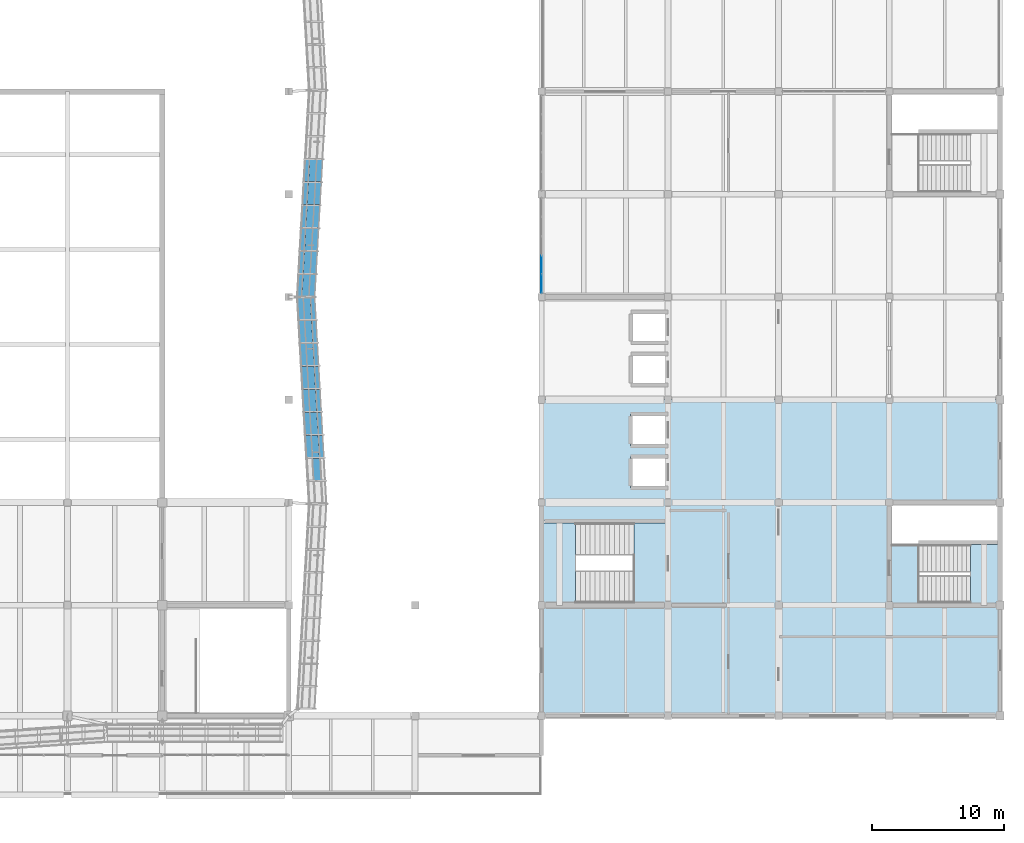
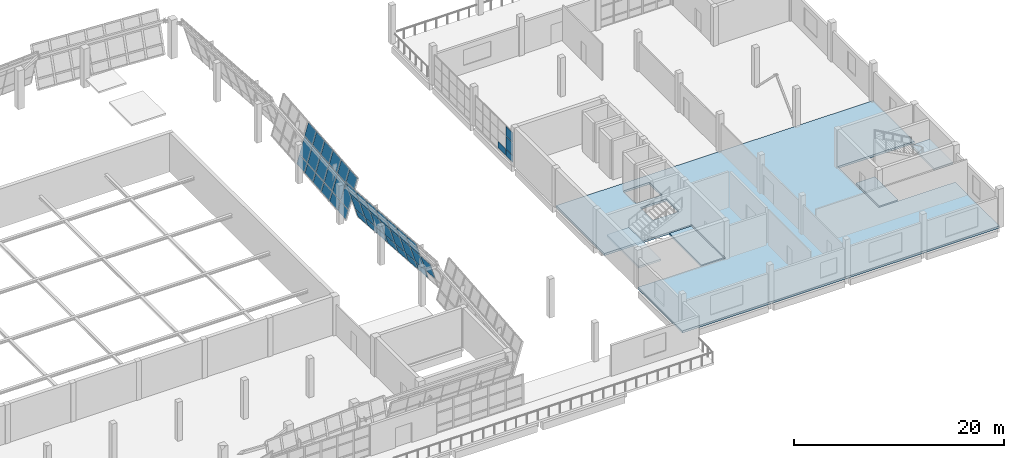
# One storey, part 40 of 67: 44 plates, 5 slabs, 5 elements without a shape of their own.
"""IFC4 building model written with IfcOpenShell, lengths in metres."""

from ifc_helpers import new_model, si_unit, direction, frame, origin, place, context, subcontext, project, spatial, polyline, outline, extrude, material, layer, layer_set, type_object, element, aggregate, save


model = new_model("IFC4")

# Units and contexts
model_context = context("Model", 3, precision=1e-05, world=origin(), true_north=direction((0.0, 1.0)))
body_context = subcontext(model_context, "Body", "Model", "MODEL_VIEW")
ifc_project = project(units=[si_unit("LENGTHUNIT", "METRE"), si_unit("AREAUNIT", "SQUARE_METRE"), si_unit("VOLUMEUNIT", "CUBIC_METRE"), si_unit("PLANEANGLEUNIT", "RADIAN"), si_unit("MASSUNIT", "GRAM", prefix="KILO")], contexts=[model_context])

# Site, building, storey
site_placement = place(None, origin())
site = spatial("IfcSite", under=ifc_project, at=site_placement, CompositionType="ELEMENT")
building_placement = place(site_placement, origin())
building = spatial("IfcBuilding", under=site, at=building_placement, Name="Pellamere Symphony Hall", CompositionType="ELEMENT")
storey_placement = place(building_placement, frame((0.0, 0.0, 19.5)))
storey = spatial("IfcBuildingStorey", under=building, at=storey_placement, Name="L04", CompositionType="ELEMENT", Elevation=19.5)

# Curtain wall, plates
ifc_material_1 = material(Name="Thermally Broken Anodised Aluminium 6063-T6 Curtain Wall", Category="aluminium")
curtain_wall_type_1 = type_object("IfcCurtainWallType", Name="Curtain Wall CW-05 (Artists Wing North Studio Ribbon Curtain Wall)", PredefinedType="NOTDEFINED", material=ifc_material_1)
curtain_wall_1_placement = place(storey_placement, origin())
curtain_wall_1 = element("IfcCurtainWall", 1, at=curtain_wall_1_placement, inside=storey, type_object=curtain_wall_type_1, Name="Sculpture Court East Wing Curtain Wall (L04 Bay 1)", PredefinedType="NOTDEFINED")
ifc_material_2 = material(Name="Triple Low-E Argon Acoustic Glazing 36mm", Category="glass")
ifc_layer_1 = layer(ifc_material_2, 0.035888671875, Name="Triple Low-E Argon Acoustic Glazing 36mm")
ifc_layer_set_1 = layer_set([ifc_layer_1], Name="Triple Low-E Argon Acoustic Glazing 36mm")
plate_type_1 = type_object("IfcPlateType", Name="Facade Panel GL-01 36mm", PredefinedType="CURTAIN_PANEL", material=ifc_layer_set_1)
plate_1_placement = place(storey_placement, frame((138.0, 62.135009765625, 0.06005859375), z_axis=(1.0, 0.0, 0.0), x_axis=(0.0, 1.0, 0.0)))
plate_1 = element("IfcPlate", 2, at=plate_1_placement, type_object=plate_type_1, Name="CW5-146 crystal glass panel 1.1", PredefinedType="CURTAIN_PANEL", context=body_context, shape_type="SweptSolid", body=[
    extrude(outline(polyline([(0.0, 0.0), (1.360107421875, 0.0), (1.360107421875, 0.754638671875), (0.0, 0.754638671875), (0.0, 0.0)])), origin(), (0.0, 0.0, -1.0), 0.035888671875),
])
plate_2_placement = place(storey_placement, frame((138.0, 62.135009765625, 0.874755859375), z_axis=(1.0, 0.0, 0.0), x_axis=(0.0, 1.0, 0.0)))
plate_2 = element("IfcPlate", 3, at=plate_2_placement, type_object=plate_type_1, Name="CW5-146 crystal glass panel 1.2", PredefinedType="CURTAIN_PANEL", context=body_context, shape_type="SweptSolid", body=[
    extrude(outline(polyline([(0.0, 0.0), (1.360107421875, 0.0), (1.360107421875, 1.41845703125), (0.0, 1.41845703125), (0.0, 0.0)])), origin(), (0.0, 0.0, -1.0), 0.035888671875),
])
plate_3_placement = place(storey_placement, frame((138.0, 62.135009765625, 2.353271484375), z_axis=(1.0, 0.0, 0.0), x_axis=(0.0, 1.0, 0.0)))
plate_3 = element("IfcPlate", 4, at=plate_3_placement, type_object=plate_type_1, Name="CW5-146 crystal glass panel 1.3", PredefinedType="CURTAIN_PANEL", context=body_context, shape_type="SweptSolid", body=[
    extrude(outline(polyline([(0.0, 0.0), (1.360107421875, 0.0), (1.360107421875, 1.106689453125), (0.0, 1.106689453125), (0.0, 0.0)])), origin(), (0.0, 0.0, -1.0), 0.035888671875),
])
plate_4_placement = place(storey_placement, frame((138.0, 63.554931640625, 0.06005859375), z_axis=(1.0, 0.0, 0.0), x_axis=(0.0, 1.0, 0.0)))
plate_4 = element("IfcPlate", 5, at=plate_4_placement, type_object=plate_type_1, Name="CW5-146 crystal glass panel 2.1", PredefinedType="CURTAIN_PANEL", context=body_context, shape_type="SweptSolid", body=[
    extrude(outline(polyline([(0.0, 0.0), (1.39013671875, 0.0), (1.39013671875, 0.754638671875), (0.0, 0.754638671875), (0.0, 0.0)])), origin(), (0.0, 0.0, -1.0), 0.035888671875),
])
aggregate(curtain_wall_1, [plate_1, plate_2, plate_3, plate_4])

curtain_wall_type_2 = type_object("IfcCurtainWallType", Name="Curtain Wall CW-01 (Tilted Faceted Crystal Low-Iron Curtain Wall)", PredefinedType="NOTDEFINED", material=ifc_material_1)
curtain_wall_2_placement = place(storey_placement, origin())
curtain_wall_2 = element("IfcCurtainWall", 6, at=curtain_wall_2_placement, inside=storey, type_object=curtain_wall_type_2, Name="Crystal Faceted Curtain Wall CW-CR07 (L04)", PredefinedType="NOTDEFINED")
ifc_material_3 = material(Name="Triple Laminated Acoustic Crystal Glazing 42mm", Category="glass")
ifc_layer_2 = layer(ifc_material_3, 0.0419921875, Name="Triple Laminated Acoustic Crystal Glazing 42mm")
ifc_layer_set_2 = layer_set([ifc_layer_2], Name="Triple Laminated Acoustic Crystal Glazing 42mm")
plate_type_2 = type_object("IfcPlateType", Name="Facade Panel GL-02 42mm", PredefinedType="CURTAIN_PANEL", material=ifc_layer_set_2)
plate_5_placement = place(storey_placement, frame((121.250244140625, 47.8818359375, 1.115966796875), z_axis=(0.957371585014, 0.054874932201, 0.283598995104), x_axis=(-0.057224396245, 0.998361341637, 0.0)))
plate_5 = element("IfcPlate", 7, at=plate_5_placement, type_object=plate_type_2, Name="CW1-011 crystal glass panel 2.2", PredefinedType="CURTAIN_PANEL", context=body_context, shape_type="SweptSolid", body=[
    extrude(outline(polyline([(0.0, 0.0), (1.6724182565382377, 3.469446951953614e-18), (1.703237841039485, 1.895957633434831), (0.030819584501247117, 1.895957633434831), (0.0, 0.0)])), origin(), (0.0, 0.0, -1.0), 0.0419921875),
])
plate_6_placement = place(storey_placement, frame((121.45947265625, 49.626220703125, 0.072021484375), z_axis=(0.957389759102, 0.05487597391, 0.283537434308), x_axis=(-0.057224396245, 0.998361341637, 0.0)))
plate_6 = element("IfcPlate", 8, at=plate_6_placement, type_object=plate_type_2, Name="CW1-011 crystal glass panel 3.1", PredefinedType="CURTAIN_PANEL", context=body_context, shape_type="SweptSolid", body=[
    extrude(outline(polyline([(0.0, 0.0), (1.6724182565382377, 0.0), (1.6888898295785688, 1.0135173974762153), (0.016471573040331075, 1.0135173974762153), (0.0, 0.0)])), origin(), (0.0, 0.0, -1.0), 0.0419921875),
])
plate_7_placement = place(storey_placement, frame((121.150390625, 49.626220703125, 1.115966796875), z_axis=(0.957371585014, 0.054874932201, 0.283598995104), x_axis=(-0.057224396245, 0.998361341637, 0.0)))
plate_7 = element("IfcPlate", 9, at=plate_7_placement, type_object=plate_type_2, Name="CW1-011 crystal glass panel 3.2", PredefinedType="CURTAIN_PANEL", context=body_context, shape_type="SweptSolid", body=[
    extrude(outline(polyline([(0.0, 0.0), (1.6724182565382377, 3.469446951953614e-18), (1.703237841039485, 1.895957633434831), (0.030819584501247117, 1.895957633434831), (0.0, 0.0)])), origin(), (0.0, 0.0, -1.0), 0.0419921875),
])
plate_8_placement = place(storey_placement, frame((120.59033203125, 49.626220703125, 3.005859375), z_axis=(0.957394802248, 0.054876262974, 0.283520349164), x_axis=(-0.057224396245, 0.998361341637, 0.0)))
plate_8 = element("IfcPlate", 10, at=plate_8_placement, type_object=plate_type_2, Name="CW1-011 crystal glass panel 3.3", PredefinedType="CURTAIN_PANEL", context=body_context, shape_type="SweptSolid", body=[
    extrude(outline(polyline([(0.0, 0.0), (1.6724182565382377, -3.469446951953614e-18), (1.6965178863046255, 1.482971047959765), (0.024099629766387704, 1.482971047959765), (0.0, 0.0)])), origin(), (0.0, 0.0, -1.0), 0.0419921875),
])
plate_9_placement = place(storey_placement, frame((121.359619140625, 51.370849609375, 0.072021484375), z_axis=(0.957324034181, 0.054880231266, 0.283758442686), x_axis=(-0.057232737422, 0.998360863499, 0.0)))
plate_9 = element("IfcPlate", 11, at=plate_9_placement, type_object=plate_type_2, Name="CW1-011 crystal glass panel 4.1", PredefinedType="CURTAIN_PANEL", context=body_context, shape_type="SweptSolid", body=[
    extrude(outline(polyline([(0.0, 0.0), (1.6721745160346768, -6.938893903907228e-18), (1.6886624628505897, 1.013586494914077), (0.01648794681591293, 1.013586494914077), (0.0, 0.0)])), origin(), (0.0, 0.0, -1.0), 0.0419921875),
])
plate_10_placement = place(storey_placement, frame((121.05029296875, 51.370849609375, 1.115966796875), z_axis=(0.957371163384, 0.054882933028, 0.283598870206), x_axis=(-0.057232737422, 0.998360863499, 0.0)))
plate_10 = element("IfcPlate", 12, at=plate_10_placement, type_object=plate_type_2, Name="CW1-011 crystal glass panel 4.2", PredefinedType="CURTAIN_PANEL", context=body_context, shape_type="SweptSolid", body=[
    extrude(outline(polyline([(0.0, 0.0), (1.6721745160346768, 3.469446951953614e-18), (1.7029985928786633, 1.8959575604045968), (0.030824076843986373, 1.895957560404597), (0.0, 0.0)])), origin(), (0.0, 0.0, -1.0), 0.0419921875),
])
plate_11_placement = place(storey_placement, frame((120.490478515625, 51.370849609375, 3.005859375), z_axis=(0.95734975691, 0.054881705866, 0.283671361447), x_axis=(-0.057232737422, 0.998360863499, 0.0)))
plate_11 = element("IfcPlate", 13, at=plate_11_placement, type_object=plate_type_2, Name="CW1-011 crystal glass panel 4.3", PredefinedType="CURTAIN_PANEL", context=body_context, shape_type="SweptSolid", body=[
    extrude(outline(polyline([(0.0, 0.0), (1.6721745160346768, -3.469446951953614e-18), (1.6962916314620207, 1.4830401146342416), (0.024117115427343825, 1.4830401146342416), (0.0, 0.0)])), origin(), (0.0, 0.0, -1.0), 0.0419921875),
])
plate_12_placement = place(storey_placement, frame((121.259521484375, 53.115234375, 0.072021484375), z_axis=(0.957389337449, 0.054883974887, 0.283537309433), x_axis=(-0.057232737422, 0.998360863499, 0.0)))
plate_12 = element("IfcPlate", 14, at=plate_12_placement, type_object=plate_type_2, Name="CW1-011 crystal glass panel 5.1", PredefinedType="CURTAIN_PANEL", context=body_context, shape_type="SweptSolid", body=[
    extrude(outline(polyline([(0.0, 0.0), (1.6721745160346768, 3.469446951953614e-18), (1.688648490014305, 1.01351735845357), (0.016473973979628256, 1.01351735845357), (0.0, 0.0)])), origin(), (0.0, 0.0, -1.0), 0.0419921875),
])
plate_13_placement = place(storey_placement, frame((120.9501953125, 53.115234375, 1.115966796875), z_axis=(0.957371163384, 0.054882933028, 0.283598870206), x_axis=(-0.057232737422, 0.998360863499, 0.0)))
plate_13 = element("IfcPlate", 15, at=plate_13_placement, type_object=plate_type_2, Name="CW1-011 crystal glass panel 5.2", PredefinedType="CURTAIN_PANEL", context=body_context, shape_type="SweptSolid", body=[
    extrude(outline(polyline([(0.0, 0.0), (1.6721745160346768, 3.469446951953614e-18), (1.7029985928786633, 1.8959575604045968), (0.030824076843986373, 1.895957560404597), (0.0, 0.0)])), origin(), (0.0, 0.0, -1.0), 0.0419921875),
])
plate_14_placement = place(storey_placement, frame((120.390380859375, 53.115234375, 3.005859375), z_axis=(0.957394380588, 0.054884263994, 0.283520224294), x_axis=(-0.057232737422, 0.998360863499, 0.0)))
plate_14 = element("IfcPlate", 16, at=plate_14_placement, type_object=plate_type_2, Name="CW1-011 crystal glass panel 5.3", PredefinedType="CURTAIN_PANEL", context=body_context, shape_type="SweptSolid", body=[
    extrude(outline(polyline([(0.0, 0.0), (1.6721745160346768, 3.469446951953614e-18), (1.696277658625736, 1.482970990869004), (0.02410314259105915, 1.482970990869004), (0.0, 0.0)])), origin(), (0.0, 0.0, -1.0), 0.0419921875),
])
plate_15_placement = place(storey_placement, frame((121.15966796875, 54.859619140625, 0.072021484375), z_axis=(0.957324455748, 0.054872230831, 0.283758567642), x_axis=(-0.057224396245, 0.998361341637, 0.0)))
plate_15 = element("IfcPlate", 17, at=plate_15_placement, type_object=plate_type_2, Name="CW1-011 crystal glass panel 6.1", PredefinedType="CURTAIN_PANEL", context=body_context, shape_type="SweptSolid", body=[
    extrude(outline(polyline([(0.0, 0.0), (1.6724182565382377, 0.0), (1.6889038003784336, 1.0135865340002803), (0.016485543840195648, 1.0135865340002805), (0.0, 0.0)])), origin(), (0.0, 0.0, -1.0), 0.0419921875),
])
plate_16_placement = place(storey_placement, frame((120.850341796875, 54.859619140625, 1.115966796875), z_axis=(0.957371585014, 0.054874932201, 0.283598995104), x_axis=(-0.057224396245, 0.998361341637, 0.0)))
plate_16 = element("IfcPlate", 18, at=plate_16_placement, type_object=plate_type_2, Name="CW1-011 crystal glass panel 6.2", PredefinedType="CURTAIN_PANEL", context=body_context, shape_type="SweptSolid", body=[
    extrude(outline(polyline([(0.0, 0.0), (1.6724182565382377, 3.469446951953614e-18), (1.703237841039485, 1.895957633434831), (0.030819584501247117, 1.895957633434831), (0.0, 0.0)])), origin(), (0.0, 0.0, -1.0), 0.0419921875),
])
plate_17_placement = place(storey_placement, frame((120.29052734375, 54.859619140625, 3.005859375), z_axis=(0.957350178511, 0.054873705217, 0.283671486371), x_axis=(-0.057224396245, 0.998361341637, 0.0)))
plate_17 = element("IfcPlate", 19, at=plate_17_placement, type_object=plate_type_2, Name="CW1-011 crystal glass panel 6.3", PredefinedType="CURTAIN_PANEL", context=body_context, shape_type="SweptSolid", body=[
    extrude(outline(polyline([(0.0, 0.0), (1.6724182565382377, 3.469446951953614e-18), (1.69653185710449, 1.48304017178855), (0.024113600566252277, 1.48304017178855), (0.0, 0.0)])), origin(), (0.0, 0.0, -1.0), 0.0419921875),
])
plate_18_placement = place(storey_placement, frame((121.0595703125, 56.60400390625, 0.072021484375), z_axis=(0.957324455748, 0.054872230831, 0.283758567642), x_axis=(-0.057224396245, 0.998361341637, 0.0)))
plate_18 = element("IfcPlate", 20, at=plate_18_placement, type_object=plate_type_2, Name="CW1-011 crystal glass panel 7.1", PredefinedType="CURTAIN_PANEL", context=body_context, shape_type="SweptSolid", body=[
    extrude(outline(polyline([(0.0, 0.0), (1.6724182565382377, 0.0), (1.6889038003784336, 1.0135865340002803), (0.016485543840195648, 1.0135865340002805), (0.0, 0.0)])), origin(), (0.0, 0.0, -1.0), 0.0419921875),
])
plate_19_placement = place(storey_placement, frame((120.750244140625, 56.60400390625, 1.115966796875), z_axis=(0.957371585014, 0.054874932201, 0.283598995104), x_axis=(-0.057224396245, 0.998361341637, 0.0)))
plate_19 = element("IfcPlate", 21, at=plate_19_placement, type_object=plate_type_2, Name="CW1-011 crystal glass panel 7.2", PredefinedType="CURTAIN_PANEL", context=body_context, shape_type="SweptSolid", body=[
    extrude(outline(polyline([(0.0, 0.0), (1.6724182565382377, 3.469446951953614e-18), (1.703237841039485, 1.895957633434831), (0.030819584501247117, 1.895957633434831), (0.0, 0.0)])), origin(), (0.0, 0.0, -1.0), 0.0419921875),
])
plate_20_placement = place(storey_placement, frame((120.1904296875, 56.60400390625, 3.005859375), z_axis=(0.957350178511, 0.054873705217, 0.283671486371), x_axis=(-0.057224396245, 0.998361341637, 0.0)))
plate_20 = element("IfcPlate", 22, at=plate_20_placement, type_object=plate_type_2, Name="CW1-011 crystal glass panel 7.3", PredefinedType="CURTAIN_PANEL", context=body_context, shape_type="SweptSolid", body=[
    extrude(outline(polyline([(0.0, 0.0), (1.6724182565382377, 3.469446951953614e-18), (1.69653185710449, 1.48304017178855), (0.024113600566252277, 1.48304017178855), (0.0, 0.0)])), origin(), (0.0, 0.0, -1.0), 0.0419921875),
])
plate_21_placement = place(storey_placement, frame((120.95947265625, 58.3486328125, 0.072021484375), z_axis=(0.957389337449, 0.054883974887, 0.283537309433), x_axis=(-0.057232737422, 0.998360863499, 0.0)))
plate_21 = element("IfcPlate", 23, at=plate_21_placement, type_object=plate_type_2, Name="CW1-011 crystal glass panel 8.1", PredefinedType="CURTAIN_PANEL", context=body_context, shape_type="SweptSolid", body=[
    extrude(outline(polyline([(0.0, 0.0), (1.6721745160346768, 3.469446951953614e-18), (1.688648490014305, 1.01351735845357), (0.016473973979628256, 1.01351735845357), (0.0, 0.0)])), origin(), (0.0, 0.0, -1.0), 0.0419921875),
])
plate_22_placement = place(storey_placement, frame((120.650390625, 58.3486328125, 1.115966796875), z_axis=(0.957371163384, 0.054882933028, 0.283598870206), x_axis=(-0.057232737422, 0.998360863499, 0.0)))
plate_22 = element("IfcPlate", 24, at=plate_22_placement, type_object=plate_type_2, Name="CW1-011 crystal glass panel 8.2", PredefinedType="CURTAIN_PANEL", context=body_context, shape_type="SweptSolid", body=[
    extrude(outline(polyline([(0.0, 0.0), (1.6721745160346768, 3.469446951953614e-18), (1.7029985928786633, 1.8959575604045968), (0.030824076843986373, 1.895957560404597), (0.0, 0.0)])), origin(), (0.0, 0.0, -1.0), 0.0419921875),
])
plate_23_placement = place(storey_placement, frame((120.09033203125, 58.3486328125, 3.005859375), z_axis=(0.957394380588, 0.054884263994, 0.283520224294), x_axis=(-0.057232737422, 0.998360863499, 0.0)))
plate_23 = element("IfcPlate", 25, at=plate_23_placement, type_object=plate_type_2, Name="CW1-011 crystal glass panel 8.3", PredefinedType="CURTAIN_PANEL", context=body_context, shape_type="SweptSolid", body=[
    extrude(outline(polyline([(0.0, 0.0), (1.6721745160346768, 3.469446951953614e-18), (1.696277658625736, 1.482970990869004), (0.02410314259105915, 1.482970990869004), (0.0, 0.0)])), origin(), (0.0, 0.0, -1.0), 0.0419921875),
])
plate_24_placement = place(storey_placement, frame((120.859619140625, 60.093017578125, 0.072021484375), z_axis=(0.957354651322, 0.054920794133, 0.283647277376), x_axis=(-0.057279062662, 0.998358206542, 2.0277049e-05)))
plate_24 = element("IfcPlate", 26, at=plate_24_placement, type_object=plate_type_2, Name="CW1-011 crystal glass panel 9.1", PredefinedType="CURTAIN_PANEL", context=body_context, shape_type="SweptSolid", body=[
    extrude(outline(polyline([(0.0, 0.0), (1.6347704518540747, 0.0), (1.6512774679209214, 1.0135168141025692), (0.016521000213004483, 1.0135859499603574), (0.0, 0.0)])), origin(), (0.0, 0.0, -1.0), 0.0419921875),
])
plate_25_placement = place(storey_placement, frame((120.55029296875, 60.093017578125, 1.115966796875), z_axis=(0.957372886168, 0.054850234166, 0.283599380541), x_axis=(-0.057198647566, 0.998362817175, 0.0)))
plate_25 = element("IfcPlate", 27, at=plate_25_placement, type_object=plate_type_2, Name="CW1-011 crystal glass panel 9.2", PredefinedType="CURTAIN_PANEL", context=body_context, shape_type="SweptSolid", body=[
    extrude(outline(polyline([(0.0, 0.0), (1.6347564733470132, 0.0), (1.665562190273358, 1.8959578588073336), (0.03080571692634491, 1.8959578588073336), (0.0, 0.0)])), origin(), (0.0, 0.0, -1.0), 0.0419921875),
])
plate_26_placement = place(storey_placement, frame((119.990478515625, 60.093017578125, 3.005859375), z_axis=(0.957351479578, 0.05484900773, 0.283671871889), x_axis=(-0.057198647566, 0.998362817175, 0.0)))
plate_26 = element("IfcPlate", 28, at=plate_26_placement, type_object=plate_type_2, Name="CW1-011 crystal glass panel 9.3", PredefinedType="CURTAIN_PANEL", context=body_context, shape_type="SweptSolid", body=[
    extrude(outline(polyline([(0.0, 0.0), (1.6347564733470132, -3.469446951953614e-18), (1.6588592237617328, 1.4830403481676844), (0.024102750414719543, 1.4830403481676844), (0.0, 0.0)])), origin(), (0.0, 0.0, -1.0), 0.0419921875),
])
aggregate(curtain_wall_2, [plate_5, plate_6, plate_7, plate_8, plate_9, plate_10, plate_11, plate_12, plate_13, plate_14, plate_15, plate_16, plate_17, plate_18, plate_19, plate_20, plate_21, plate_22, plate_23, plate_24, plate_25, plate_26])

curtain_wall_3_placement = place(storey_placement, origin())
curtain_wall_3 = element("IfcCurtainWall", 29, at=curtain_wall_3_placement, inside=storey, type_object=curtain_wall_type_2, Name="Crystal Faceted Curtain Wall CW-CR08 (L04)", PredefinedType="NOTDEFINED")
plate_27_placement = place(storey_placement, frame((119.4755859375, 61.874755859375, 0.072021484375), z_axis=(-0.95732618741, 0.054839355336, 0.28375908092), x_axis=(0.057190120561, 0.998363305671, 0.0)))
plate_27 = element("IfcPlate", 30, at=plate_27_placement, type_object=plate_type_2, Name="CW1-016 crystal glass panel 1.1", PredefinedType="CURTAIN_PANEL", context=body_context, shape_type="SweptSolid", body=[
    extrude(outline(polyline([(0.0, 0.0), (1.6350002143288105, 3.469446951953614e-18), (1.6514758838264125, -1.0135866945540546), (0.01647566949760208, -1.0135866945540546), (0.0, 0.0)])), origin(), (0.0, 0.0, -1.0), 0.0419921875),
])
plate_28_placement = place(storey_placement, frame((119.784912109375, 61.874755859375, 1.115966796875), z_axis=(-0.957373316932, 0.054842055098, 0.283599508144), x_axis=(0.057190120561, 0.998363305671, 0.0)))
plate_28 = element("IfcPlate", 31, at=plate_28_placement, type_object=plate_type_2, Name="CW1-016 crystal glass panel 1.2", PredefinedType="CURTAIN_PANEL", context=body_context, shape_type="SweptSolid", body=[
    extrude(outline(polyline([(0.0, 0.0), (1.6350002143288105, 3.469446951953614e-18), (1.6658013388302597, -1.8959579334199588), (0.030801124501449315, -1.8959579334199588), (0.0, 0.0)])), origin(), (0.0, 0.0, -1.0), 0.0419921875),
])
plate_29_placement = place(storey_placement, frame((120.3447265625, 61.874755859375, 3.005859375), z_axis=(-0.957370463247, 0.054913486787, 0.283595319199), x_axis=(0.057258551614, 0.998359383116, -2.027082e-05)))
plate_29 = element("IfcPlate", 32, at=plate_29_placement, type_object=plate_type_2, Name="CW1-016 crystal glass panel 1.3", PredefinedType="CURTAIN_PANEL", context=body_context, shape_type="SweptSolid", body=[
    extrude(outline(polyline([(0.0, 0.0), (1.635000210152119, 3.469446951953614e-18), (1.6590993758152512, -1.4830404018189927), (0.024085186524554544, -1.4829712780003717), (0.0, 0.0)])), origin(), (0.0, 0.0, -1.0), 0.0419921875),
])
plate_30_placement = place(storey_placement, frame((119.573486328125, 63.581787109375, 0.072021484375), z_axis=(-0.957389759102, 0.05487597391, 0.283537434308), x_axis=(0.057224396245, 0.998361341637, 0.0)))
plate_30 = element("IfcPlate", 33, at=plate_30_placement, type_object=plate_type_2, Name="CW1-016 crystal glass panel 2.1", PredefinedType="CURTAIN_PANEL", context=body_context, shape_type="SweptSolid", body=[
    extrude(outline(polyline([(0.0, 0.0), (1.6724182565382377, 0.0), (1.6888898295785688, -1.0135173974762153), (0.016471573040331075, -1.0135173974762153), (0.0, 0.0)])), origin(), (0.0, 0.0, -1.0), 0.0419921875),
])
plate_31_placement = place(storey_placement, frame((119.8828125, 63.581787109375, 1.115966796875), z_axis=(-0.957371585014, 0.054874932201, 0.283598995104), x_axis=(0.057224396245, 0.998361341637, 0.0)))
plate_31 = element("IfcPlate", 34, at=plate_31_placement, type_object=plate_type_2, Name="CW1-016 crystal glass panel 2.2", PredefinedType="CURTAIN_PANEL", context=body_context, shape_type="SweptSolid", body=[
    extrude(outline(polyline([(0.0, 0.0), (1.6724182565382377, -3.469446951953614e-18), (1.703237841039485, -1.895957633434831), (0.030819584501247117, -1.895957633434831), (0.0, 0.0)])), origin(), (0.0, 0.0, -1.0), 0.0419921875),
])
plate_32_placement = place(storey_placement, frame((120.442626953125, 63.581787109375, 3.005859375), z_axis=(-0.957394802248, 0.054876262974, 0.283520349164), x_axis=(0.057224396245, 0.998361341637, 0.0)))
plate_32 = element("IfcPlate", 35, at=plate_32_placement, type_object=plate_type_2, Name="CW1-016 crystal glass panel 2.3", PredefinedType="CURTAIN_PANEL", context=body_context, shape_type="SweptSolid", body=[
    extrude(outline(polyline([(0.0, 0.0), (1.6724182565382377, 3.469446951953614e-18), (1.6965178863046255, -1.482971047959765), (0.024099629766387704, -1.482971047959765), (0.0, 0.0)])), origin(), (0.0, 0.0, -1.0), 0.0419921875),
])
plate_33_placement = place(storey_placement, frame((119.67333984375, 65.326416015625, 0.072021484375), z_axis=(-0.957324034181, 0.054880231266, 0.283758442686), x_axis=(0.057232737422, 0.998360863499, 0.0)))
plate_33 = element("IfcPlate", 36, at=plate_33_placement, type_object=plate_type_2, Name="CW1-016 crystal glass panel 3.1", PredefinedType="CURTAIN_PANEL", context=body_context, shape_type="SweptSolid", body=[
    extrude(outline(polyline([(0.0, 0.0), (1.6721745160346768, 6.938893903907228e-18), (1.6886624628505897, -1.013586494914077), (0.01648794681591293, -1.013586494914077), (0.0, 0.0)])), origin(), (0.0, 0.0, -1.0), 0.0419921875),
])
plate_34_placement = place(storey_placement, frame((119.982666015625, 65.326416015625, 1.115966796875), z_axis=(-0.957371163384, 0.054882933028, 0.283598870206), x_axis=(0.057232737422, 0.998360863499, 0.0)))
plate_34 = element("IfcPlate", 37, at=plate_34_placement, type_object=plate_type_2, Name="CW1-016 crystal glass panel 3.2", PredefinedType="CURTAIN_PANEL", context=body_context, shape_type="SweptSolid", body=[
    extrude(outline(polyline([(0.0, 0.0), (1.6721745160346768, -3.469446951953614e-18), (1.7029985928786633, -1.8959575604045968), (0.030824076843986373, -1.895957560404597), (0.0, 0.0)])), origin(), (0.0, 0.0, -1.0), 0.0419921875),
])
plate_35_placement = place(storey_placement, frame((120.54248046875, 65.326416015625, 3.005859375), z_axis=(-0.95734975691, 0.054881705866, 0.283671361447), x_axis=(0.057232737422, 0.998360863499, 0.0)))
plate_35 = element("IfcPlate", 38, at=plate_35_placement, type_object=plate_type_2, Name="CW1-016 crystal glass panel 3.3", PredefinedType="CURTAIN_PANEL", context=body_context, shape_type="SweptSolid", body=[
    extrude(outline(polyline([(0.0, 0.0), (1.6721745160346768, 3.469446951953614e-18), (1.6962916314620207, -1.4830401146342416), (0.024117115427343825, -1.4830401146342416), (0.0, 0.0)])), origin(), (0.0, 0.0, -1.0), 0.0419921875),
])
plate_36_placement = place(storey_placement, frame((119.7734375, 67.07080078125, 0.072021484375), z_axis=(-0.957324034181, 0.054880231266, 0.283758442686), x_axis=(0.057232737422, 0.998360863499, 0.0)))
plate_36 = element("IfcPlate", 39, at=plate_36_placement, type_object=plate_type_2, Name="CW1-016 crystal glass panel 4.1", PredefinedType="CURTAIN_PANEL", context=body_context, shape_type="SweptSolid", body=[
    extrude(outline(polyline([(0.0, 0.0), (1.6721745160346768, 6.938893903907228e-18), (1.6886624628505897, -1.013586494914077), (0.01648794681591293, -1.013586494914077), (0.0, 0.0)])), origin(), (0.0, 0.0, -1.0), 0.0419921875),
])
plate_37_placement = place(storey_placement, frame((120.082763671875, 67.07080078125, 1.115966796875), z_axis=(-0.957371163384, 0.054882933028, 0.283598870206), x_axis=(0.057232737422, 0.998360863499, 0.0)))
plate_37 = element("IfcPlate", 40, at=plate_37_placement, type_object=plate_type_2, Name="CW1-016 crystal glass panel 4.2", PredefinedType="CURTAIN_PANEL", context=body_context, shape_type="SweptSolid", body=[
    extrude(outline(polyline([(0.0, 0.0), (1.6721745160346768, -3.469446951953614e-18), (1.7029985928786633, -1.8959575604045968), (0.030824076843986373, -1.895957560404597), (0.0, 0.0)])), origin(), (0.0, 0.0, -1.0), 0.0419921875),
])
plate_38_placement = place(storey_placement, frame((120.642578125, 67.07080078125, 3.005859375), z_axis=(-0.95734975691, 0.054881705866, 0.283671361447), x_axis=(0.057232737422, 0.998360863499, 0.0)))
plate_38 = element("IfcPlate", 41, at=plate_38_placement, type_object=plate_type_2, Name="CW1-016 crystal glass panel 4.3", PredefinedType="CURTAIN_PANEL", context=body_context, shape_type="SweptSolid", body=[
    extrude(outline(polyline([(0.0, 0.0), (1.6721745160346768, 3.469446951953614e-18), (1.6962916314620207, -1.4830401146342416), (0.024117115427343825, -1.4830401146342416), (0.0, 0.0)])), origin(), (0.0, 0.0, -1.0), 0.0419921875),
])
plate_39_placement = place(storey_placement, frame((119.87353515625, 68.815185546875, 0.072021484375), z_axis=(-0.957389759102, 0.05487597391, 0.283537434308), x_axis=(0.057224396245, 0.998361341637, 0.0)))
plate_39 = element("IfcPlate", 42, at=plate_39_placement, type_object=plate_type_2, Name="CW1-016 crystal glass panel 5.1", PredefinedType="CURTAIN_PANEL", context=body_context, shape_type="SweptSolid", body=[
    extrude(outline(polyline([(0.0, 0.0), (1.6724182565382377, 0.0), (1.6888898295785688, -1.0135173974762153), (0.016471573040331075, -1.0135173974762153), (0.0, 0.0)])), origin(), (0.0, 0.0, -1.0), 0.0419921875),
])
plate_40_placement = place(storey_placement, frame((120.1826171875, 68.815185546875, 1.115966796875), z_axis=(-0.957371585014, 0.054874932201, 0.283598995104), x_axis=(0.057224396245, 0.998361341637, 0.0)))
plate_40 = element("IfcPlate", 43, at=plate_40_placement, type_object=plate_type_2, Name="CW1-016 crystal glass panel 5.2", PredefinedType="CURTAIN_PANEL", context=body_context, shape_type="SweptSolid", body=[
    extrude(outline(polyline([(0.0, 0.0), (1.6724182565382377, -3.469446951953614e-18), (1.703237841039485, -1.895957633434831), (0.030819584501247117, -1.895957633434831), (0.0, 0.0)])), origin(), (0.0, 0.0, -1.0), 0.0419921875),
])
plate_41_placement = place(storey_placement, frame((120.74267578125, 68.815185546875, 3.005859375), z_axis=(-0.957394802248, 0.054876262974, 0.283520349164), x_axis=(0.057224396245, 0.998361341637, 0.0)))
plate_41 = element("IfcPlate", 44, at=plate_41_placement, type_object=plate_type_2, Name="CW1-016 crystal glass panel 5.3", PredefinedType="CURTAIN_PANEL", context=body_context, shape_type="SweptSolid", body=[
    extrude(outline(polyline([(0.0, 0.0), (1.6724182565382377, 3.469446951953614e-18), (1.6965178863046255, -1.482971047959765), (0.024099629766387704, -1.482971047959765), (0.0, 0.0)])), origin(), (0.0, 0.0, -1.0), 0.0419921875),
])
plate_42_placement = place(storey_placement, frame((119.973388671875, 70.5595703125, 0.072021484375), z_axis=(-0.957324455748, 0.054872230831, 0.283758567642), x_axis=(0.057224396245, 0.998361341637, 0.0)))
plate_42 = element("IfcPlate", 45, at=plate_42_placement, type_object=plate_type_2, Name="CW1-016 crystal glass panel 6.1", PredefinedType="CURTAIN_PANEL", context=body_context, shape_type="SweptSolid", body=[
    extrude(outline(polyline([(0.0, 0.0), (1.6724182565382377, 0.0), (1.6889038003784336, -1.0135865340002803), (0.016485543840195648, -1.0135865340002805), (0.0, 0.0)])), origin(), (0.0, 0.0, -1.0), 0.0419921875),
])
plate_43_placement = place(storey_placement, frame((120.28271484375, 70.5595703125, 1.115966796875), z_axis=(-0.957371585014, 0.054874932201, 0.283598995104), x_axis=(0.057224396245, 0.998361341637, 0.0)))
plate_43 = element("IfcPlate", 46, at=plate_43_placement, type_object=plate_type_2, Name="CW1-016 crystal glass panel 6.2", PredefinedType="CURTAIN_PANEL", context=body_context, shape_type="SweptSolid", body=[
    extrude(outline(polyline([(0.0, 0.0), (1.6724182565382377, -3.469446951953614e-18), (1.703237841039485, -1.895957633434831), (0.030819584501247117, -1.895957633434831), (0.0, 0.0)])), origin(), (0.0, 0.0, -1.0), 0.0419921875),
])
plate_44_placement = place(storey_placement, frame((120.842529296875, 70.5595703125, 3.005859375), z_axis=(-0.957350178511, 0.054873705217, 0.283671486371), x_axis=(0.057224396245, 0.998361341637, 0.0)))
plate_44 = element("IfcPlate", 47, at=plate_44_placement, type_object=plate_type_2, Name="CW1-016 crystal glass panel 6.3", PredefinedType="CURTAIN_PANEL", context=body_context, shape_type="SweptSolid", body=[
    extrude(outline(polyline([(0.0, 0.0), (1.6724182565382377, -3.469446951953614e-18), (1.69653185710449, -1.48304017178855), (0.024113600566252277, -1.48304017178855), (0.0, 0.0)])), origin(), (0.0, 0.0, -1.0), 0.0419921875),
])
aggregate(curtain_wall_3, [plate_27, plate_28, plate_29, plate_30, plate_31, plate_32, plate_33, plate_34, plate_35, plate_36, plate_37, plate_38, plate_39, plate_40, plate_41, plate_42, plate_43, plate_44])

# Stair, slabs
ifc_material_4 = material(Name="Concrete 40 MPa", Category="concrete")
stair_type_1 = type_object("IfcStairType", Name="Stair ST-A W2400", PredefinedType="HALF_TURN_STAIR", material=ifc_material_4)
stair_1_placement = place(storey_placement, origin())
stair_1 = element("IfcStair", 48, at=stair_1_placement, inside=storey, type_object=stair_type_1, Name="Exit Stair ST02-L04 (L04 to L05)", PredefinedType="HALF_TURN_STAIR")
ifc_layer_3 = layer(ifc_material_4, 0.219970703125, Name="Concrete 40 MPa")
ifc_layer_set_3 = layer_set([ifc_layer_3], Name="Concrete 40 MPa")
slab_type_1 = type_object("IfcSlabType", Name="Stair Landing SL-01 220mm", PredefinedType="LANDING", material=ifc_layer_set_3)
slab_1_placement = place(storey_placement, frame((0.0, 0.0, -0.219970703125)))
slab_1 = element("IfcSlab", 49, at=slab_1_placement, type_object=slab_type_1, Name="Stair ST02-L04 Bottom Landing (L04)", PredefinedType="LANDING", context=body_context, shape_type="SweptSolid", body=[
    extrude(outline(polyline([(145.02490234375, 38.56005859375), (147.43994140625, 38.56005859375), (147.43994140625, 44.639892578125), (145.02490234375, 44.639892578125), (145.02490234375, 38.56005859375)])), origin(), (0.0, 0.0, 1.0), 0.219970703125),
])
slab_2_placement = place(storey_placement, frame((0.0, 0.0, 2.030029296875)))
slab_2 = element("IfcSlab", 50, at=slab_2_placement, type_object=slab_type_1, Name="Stair ST02-L04 Half Landing (L04)", PredefinedType="LANDING", context=body_context, shape_type="SweptSolid", body=[
    extrude(outline(polyline([(138.159912109375, 38.56005859375), (140.574951171875, 38.56005859375), (140.574951171875, 44.639892578125), (138.159912109375, 44.639892578125), (138.159912109375, 38.56005859375)])), origin(), (0.0, 0.0, 1.0), 0.219970703125),
])
aggregate(stair_1, [slab_1, slab_2])

stair_type_2 = type_object("IfcStairType", Name="Stair ST-B W2050", PredefinedType="HALF_TURN_STAIR", material=ifc_material_4)
stair_2_placement = place(storey_placement, origin())
stair_2 = element("IfcStair", 51, at=stair_2_placement, inside=storey, type_object=stair_type_2, Name="Exit Stair ST06-L04 (L04 to L05)", PredefinedType="HALF_TURN_STAIR")
slab_3_placement = place(storey_placement, frame((0.0, 0.0, -0.219970703125)))
slab_3 = element("IfcSlab", 52, at=slab_3_placement, type_object=slab_type_1, Name="Stair ST06-L04 Bottom Landing (L04)", PredefinedType="LANDING", context=body_context, shape_type="SweptSolid", body=[
    extrude(outline(polyline([(164.56005859375, 38.56005859375), (166.625, 38.56005859375), (166.625, 43.0), (164.56005859375, 43.0), (164.56005859375, 38.56005859375)])), origin(), (0.0, 0.0, 1.0), 0.219970703125),
])
slab_4_placement = place(storey_placement, frame((0.0, 0.0, 2.030029296875)))
slab_4 = element("IfcSlab", 53, at=slab_4_placement, type_object=slab_type_1, Name="Stair ST06-L04 Half Landing (L04)", PredefinedType="LANDING", context=body_context, shape_type="SweptSolid", body=[
    extrude(outline(polyline([(170.574951171875, 38.56005859375), (172.639892578125, 38.56005859375), (172.639892578125, 43.0), (170.574951171875, 43.0), (170.574951171875, 38.56005859375)])), origin(), (0.0, 0.0, 1.0), 0.219970703125),
])
aggregate(stair_2, [slab_3, slab_4])

# Slab
ifc_material_5 = material(Name="Concrete 35 MPa", Category="concrete")
ifc_layer_4 = layer(ifc_material_5, 0.239990234375, Name="Concrete 35 MPa")
ifc_layer_set_4 = layer_set([ifc_layer_4], Name="Concrete 35 MPa")
slab_type_2 = type_object("IfcSlabType", Name="Structural Slab FS-05 240mm", PredefinedType="FLOOR", material=ifc_layer_set_4)
slab_5_placement = place(storey_placement, frame((0.0, 0.0, -0.239990234375)))
element("IfcSlab", 54, at=slab_5_placement, inside=storey, type_object=slab_type_2, Name="Floor Slab L04-V5A-1", PredefinedType="FLOOR", context=body_context, shape_type="SweptSolid", body=[
    extrude(outline(polyline([(172.800048828125, 30.0), (138.0, 30.0), (138.0, 38.39990234375), (147.60009765625, 38.39990234375), (147.60009765625, 44.800048828125), (138.0, 44.800048828125), (138.0, 54.0), (172.800048828125, 54.0), (172.800048828125, 46.199951171875), (164.39990234375, 46.199951171875), (164.39990234375, 38.39990234375), (172.800048828125, 38.39990234375), (172.800048828125, 30.0)]), holes=[polyline([(147.60009765625, 49.699951171875), (144.75, 49.699951171875), (144.75, 47.300048828125), (147.60009765625, 47.300048828125), (147.60009765625, 49.699951171875)]), polyline([(147.60009765625, 52.89990234375), (144.75, 52.89990234375), (144.75, 50.5), (147.60009765625, 50.5), (147.60009765625, 52.89990234375)])]), origin(), (0.0, 0.0, 1.0), 0.239990234375),
])

save(model, "model.ifc")
